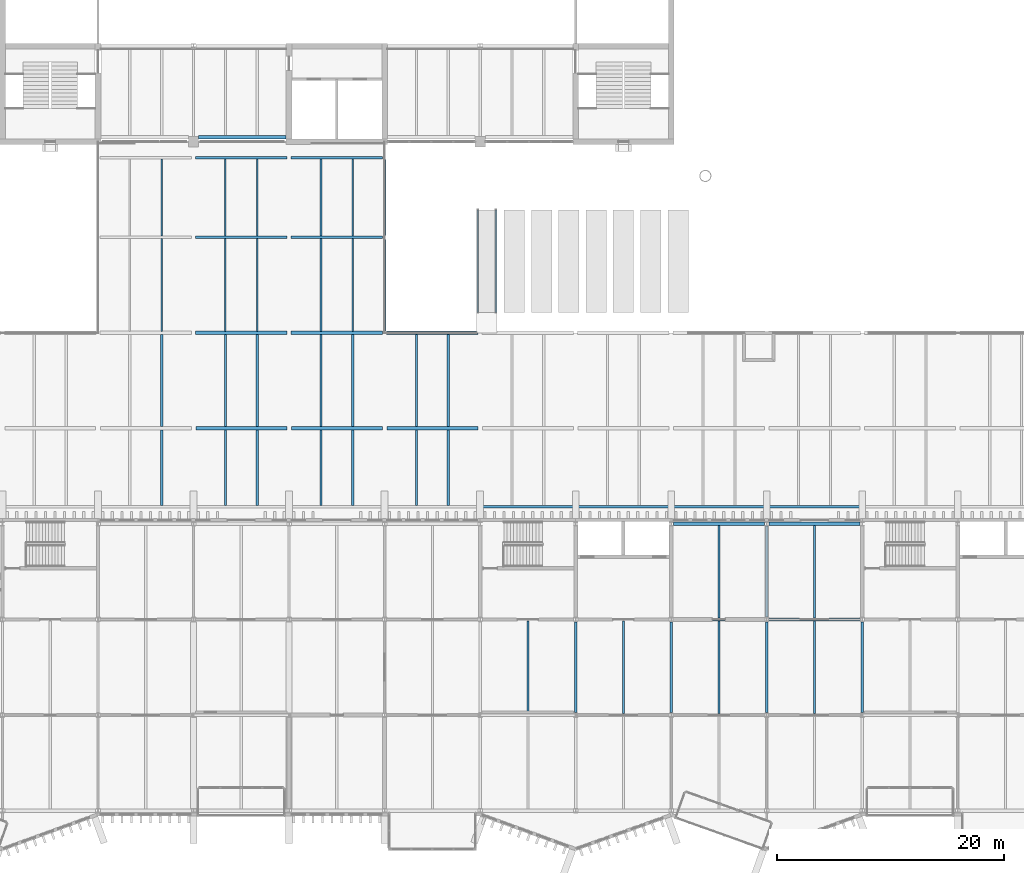
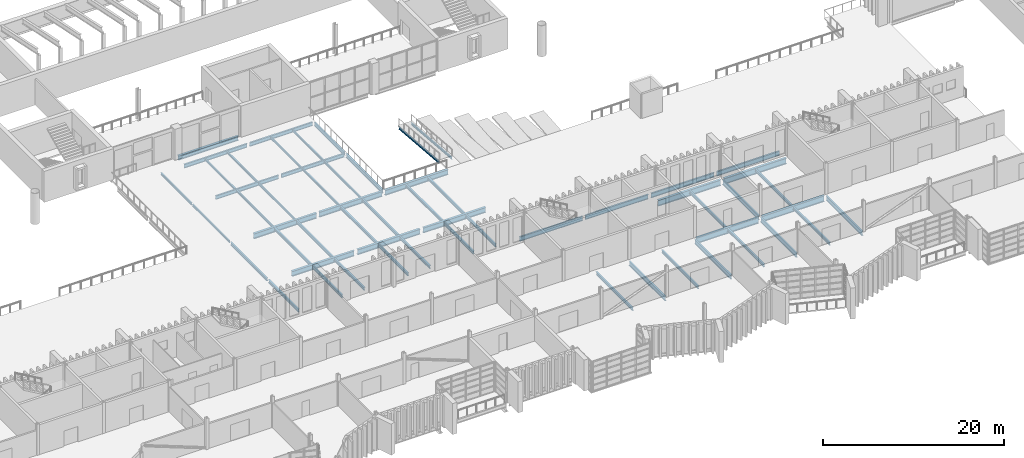
# One storey, part 29 of 96: 58 beams.
"""IFC4 building model written with IfcOpenShell, lengths in metres."""

from ifc_helpers import new_model, si_unit, direction, frame, origin, origin_2d, place, context, subcontext, project, spatial, i_section, extrude, material, material_profile, profile_set, type_object, element, save


model = new_model("IFC4")

# Units and contexts
model_context = context("Model", 3, precision=1e-05, world=origin(), true_north=direction((0.0, 1.0)))
body_context = subcontext(model_context, "Body", "Model", "MODEL_VIEW")
ifc_project = project(units=[si_unit("LENGTHUNIT", "METRE"), si_unit("AREAUNIT", "SQUARE_METRE"), si_unit("VOLUMEUNIT", "CUBIC_METRE"), si_unit("PLANEANGLEUNIT", "RADIAN"), si_unit("MASSUNIT", "GRAM", prefix="KILO")], contexts=[model_context])

# Site, building, storey
site_placement = place(None, origin())
site = spatial("IfcSite", under=ifc_project, at=site_placement, CompositionType="ELEMENT")
building_placement = place(site_placement, origin())
building = spatial("IfcBuilding", under=site, at=building_placement, Name="Cresset Court Congress Hotel", CompositionType="ELEMENT")
storey_placement = place(building_placement, frame((0.0, 0.0, 6.0)))
storey = spatial("IfcBuildingStorey", under=building, at=storey_placement, Name="L01", CompositionType="ELEMENT", Elevation=6.0)

# Beams
ifc_material_1 = material(Name="Structural steel Q355B", Category="steel")
ifc_material_profile_1 = material_profile(ifc_material_1, i_section(OverallWidth=0.300048828125, OverallDepth=0.587890625, WebThickness=0.011962890625, FlangeThickness=0.02001953125, FilletRadius=0.028076171875, at=origin_2d()), Name="HM588x300x12x20")
ifc_profile_set_1 = profile_set([ifc_material_profile_1], Name="Structural steel Q355B")
beam_type_1 = type_object("IfcBeamType", Name="Steel HM588x300x12x20 girder", PredefinedType="BEAM", material=ifc_profile_set_1)
beam_1_placement = place(storey_placement, frame((76.050048828125, 59.199951171875, -0.444091796875), z_axis=(1.0, 0.0, 0.0), x_axis=(0.0, 1.0, 0.0)))
element("IfcBeam", 1, at=beam_1_placement, inside=storey, type_object=beam_type_1, Name="Girder CG-F016", PredefinedType="BEAM", context=body_context, shape_type="SweptSolid", body=[
    extrude(i_section(OverallWidth=0.300048828125, OverallDepth=0.587890625, WebThickness=0.011962890625, FlangeThickness=0.02001953125, FilletRadius=0.028076171875, at=origin_2d()), origin(), (0.0, 0.0, 1.0), 7.699951171875),
])
ifc_material_2 = material(Name="Structural steel Q355B", Category="steel")
ifc_material_profile_2 = material_profile(ifc_material_2, i_section(OverallWidth=0.14990234375, OverallDepth=0.300048828125, WebThickness=0.006591796875, FlangeThickness=0.009033203125, FilletRadius=0.012939453125, at=origin_2d()), Name="HN300x150x6.5x9")
ifc_profile_set_2 = profile_set([ifc_material_profile_2], Name="Structural steel Q355B")
beam_type_2 = type_object("IfcBeamType", Name="Steel beam HN300x150x6.5x9", PredefinedType="BEAM", material=ifc_profile_set_2)
for number, where, z_axis, x_axis, name in (
    (2, (72.800048828125, 42.10009765625, -0.300048828125), (0.0, 1.0, 0.0), (-1.0, 0.0, 0.0), "S.dbm.L01.S072"),
    (3, (78.39990234375, 42.10009765625, -0.300048828125), (0.0, 1.0, 0.0), (-1.0, 0.0, 0.0), "S.dbm.L01.S073"),
    (4, (81.199951171875, 42.10009765625, -0.300048828125), (0.0, 1.0, 0.0), (-1.0, 0.0, 0.0), "S.dbm.L01.S074"),
    (5, (86.800048828125, 42.10009765625, -0.300048828125), (0.0, 1.0, 0.0), (-1.0, 0.0, 0.0), "S.dbm.L01.S075"),
    (6, (89.60009765625, 42.10009765625, -0.300048828125), (0.0, 1.0, 0.0), (-1.0, 0.0, 0.0), "S.dbm.L01.S076"),
):
    element("IfcBeam", number, at=place(storey_placement, frame(where, z_axis=z_axis, x_axis=x_axis)), inside=storey, type_object=beam_type_2, Name=name, PredefinedType="BEAM", context=body_context, shape_type="SweptSolid", body=[
        extrude(i_section(OverallWidth=0.14990234375, OverallDepth=0.300048828125, WebThickness=0.006591796875, FlangeThickness=0.009033203125, FilletRadius=0.012939453125, at=origin_2d()), origin(), (0.0, 0.0, 1.0), 8.199951171875),
    ])
for number, where, z_axis, x_axis, name in (
    (7, (72.800048828125, 50.5, -0.300048828125), (0.0, 1.0, 0.0), (-1.0, 0.0, 0.0), "S.dbm.L01.S078"),
    (8, (78.39990234375, 50.5, -0.300048828125), (0.0, 1.0, 0.0), (-1.0, 0.0, 0.0), "S.dbm.L01.S079"),
    (9, (81.199951171875, 50.5, -0.300048828125), (0.0, 1.0, 0.0), (-1.0, 0.0, 0.0), "S.dbm.L01.S080"),
    (10, (86.800048828125, 50.5, -0.300048828125), (0.0, 1.0, 0.0), (-1.0, 0.0, 0.0), "S.dbm.L01.S081"),
    (11, (89.60009765625, 50.5, -0.300048828125), (0.0, 1.0, 0.0), (-1.0, 0.0, 0.0), "S.dbm.L01.S082"),
):
    element("IfcBeam", number, at=place(storey_placement, frame(where, z_axis=z_axis, x_axis=x_axis)), inside=storey, type_object=beam_type_2, Name=name, PredefinedType="BEAM", context=body_context, shape_type="SweptSolid", body=[
        extrude(i_section(OverallWidth=0.14990234375, OverallDepth=0.300048828125, WebThickness=0.006591796875, FlangeThickness=0.009033203125, FilletRadius=0.012939453125, at=origin_2d()), origin(), (0.0, 0.0, 1.0), 6.800048828125),
    ])
for number, where, z_axis, x_axis, name in (
    (12, (100.60009765625, 43.800048828125, -0.35009765625), (0.0, 0.996545758245, -0.083045479854), (-1.0, 0.0, 0.0), "S.ramp.L01.D01.B1L"),
    (13, (102.199951171875, 43.800048828125, -0.35009765625), (0.0, 0.996545758245, -0.083045479854), (-1.0, 0.0, 0.0), "S.ramp.L01.D01.B1R"),
):
    element("IfcBeam", number, at=place(storey_placement, frame(where, z_axis=z_axis, x_axis=x_axis)), inside=storey, type_object=beam_type_2, Name=name, PredefinedType="BEAM", context=body_context, shape_type="SweptSolid", body=[
        extrude(i_section(OverallWidth=0.14990234375, OverallDepth=0.300048828125, WebThickness=0.006591796875, FlangeThickness=0.009033203125, FilletRadius=0.012939453125, at=origin_2d()), origin(), (0.0, 0.0, 1.0), 9.03125),
    ])
ifc_material_3 = material(Name="Structural steel Q355B", Category="steel")
ifc_material_profile_3 = material_profile(ifc_material_3, i_section(OverallWidth=0.199951171875, OverallDepth=0.39990234375, WebThickness=0.008056640625, FlangeThickness=0.012939453125, FilletRadius=0.01611328125, at=origin_2d()), Name="HN400x200x8x13")
ifc_profile_set_3 = profile_set([ifc_material_profile_3], Name="Structural steel Q355B")
beam_type_3 = type_object("IfcBeamType", Name="Steel beam HN400x200x8x13", PredefinedType="BEAM", material=ifc_profile_set_3)
beam_2_placement = place(storey_placement, frame((72.800048828125, 26.800048828125, -0.35009765625), z_axis=(0.0, 1.0, 0.0), x_axis=(-1.0, 0.0, 0.0)))
element("IfcBeam", 14, at=beam_2_placement, inside=storey, type_object=beam_type_3, Name="S.dbm.L01.S031", PredefinedType="BEAM", context=body_context, shape_type="SweptSolid", body=[
    extrude(i_section(OverallWidth=0.199951171875, OverallDepth=0.39990234375, WebThickness=0.008056640625, FlangeThickness=0.012939453125, FilletRadius=0.01611328125, at=origin_2d()), origin(), (0.0, 0.0, 1.0), 6.64990234375),
])
beam_3_placement = place(storey_placement, frame((72.800048828125, 33.75, -0.35009765625), z_axis=(0.0, 1.0, 0.0), x_axis=(-1.0, 0.0, 0.0)))
element("IfcBeam", 15, at=beam_3_placement, inside=storey, type_object=beam_type_3, Name="S.dbm.L01.S032", PredefinedType="BEAM", context=body_context, shape_type="SweptSolid", body=[
    extrude(i_section(OverallWidth=0.199951171875, OverallDepth=0.39990234375, WebThickness=0.008056640625, FlangeThickness=0.012939453125, FilletRadius=0.01611328125, at=origin_2d()), origin(), (0.0, 0.0, 1.0), 8.10009765625),
])
beam_4_placement = place(storey_placement, frame((78.39990234375, 26.800048828125, -0.35009765625), z_axis=(0.0, 1.0, 0.0), x_axis=(-1.0, 0.0, 0.0)))
element("IfcBeam", 16, at=beam_4_placement, inside=storey, type_object=beam_type_3, Name="S.dbm.L01.S033", PredefinedType="BEAM", context=body_context, shape_type="SweptSolid", body=[
    extrude(i_section(OverallWidth=0.199951171875, OverallDepth=0.39990234375, WebThickness=0.008056640625, FlangeThickness=0.012939453125, FilletRadius=0.01611328125, at=origin_2d()), origin(), (0.0, 0.0, 1.0), 6.64990234375),
])
beam_5_placement = place(storey_placement, frame((78.39990234375, 33.75, -0.35009765625), z_axis=(0.0, 1.0, 0.0), x_axis=(-1.0, 0.0, 0.0)))
element("IfcBeam", 17, at=beam_5_placement, inside=storey, type_object=beam_type_3, Name="S.dbm.L01.S034", PredefinedType="BEAM", context=body_context, shape_type="SweptSolid", body=[
    extrude(i_section(OverallWidth=0.199951171875, OverallDepth=0.39990234375, WebThickness=0.008056640625, FlangeThickness=0.012939453125, FilletRadius=0.01611328125, at=origin_2d()), origin(), (0.0, 0.0, 1.0), 8.10009765625),
])
beam_6_placement = place(storey_placement, frame((81.199951171875, 26.800048828125, -0.35009765625), z_axis=(0.0, 1.0, 0.0), x_axis=(-1.0, 0.0, 0.0)))
element("IfcBeam", 18, at=beam_6_placement, inside=storey, type_object=beam_type_3, Name="S.dbm.L01.S035", PredefinedType="BEAM", context=body_context, shape_type="SweptSolid", body=[
    extrude(i_section(OverallWidth=0.199951171875, OverallDepth=0.39990234375, WebThickness=0.008056640625, FlangeThickness=0.012939453125, FilletRadius=0.01611328125, at=origin_2d()), origin(), (0.0, 0.0, 1.0), 6.64990234375),
])
beam_7_placement = place(storey_placement, frame((81.199951171875, 33.75, -0.35009765625), z_axis=(0.0, 1.0, 0.0), x_axis=(-1.0, 0.0, 0.0)))
element("IfcBeam", 19, at=beam_7_placement, inside=storey, type_object=beam_type_3, Name="S.dbm.L01.S036", PredefinedType="BEAM", context=body_context, shape_type="SweptSolid", body=[
    extrude(i_section(OverallWidth=0.199951171875, OverallDepth=0.39990234375, WebThickness=0.008056640625, FlangeThickness=0.012939453125, FilletRadius=0.01611328125, at=origin_2d()), origin(), (0.0, 0.0, 1.0), 8.10009765625),
])
beam_8_placement = place(storey_placement, frame((86.800048828125, 26.800048828125, -0.35009765625), z_axis=(0.0, 1.0, 0.0), x_axis=(-1.0, 0.0, 0.0)))
element("IfcBeam", 20, at=beam_8_placement, inside=storey, type_object=beam_type_3, Name="S.dbm.L01.S037", PredefinedType="BEAM", context=body_context, shape_type="SweptSolid", body=[
    extrude(i_section(OverallWidth=0.199951171875, OverallDepth=0.39990234375, WebThickness=0.008056640625, FlangeThickness=0.012939453125, FilletRadius=0.01611328125, at=origin_2d()), origin(), (0.0, 0.0, 1.0), 6.64990234375),
])
beam_9_placement = place(storey_placement, frame((86.800048828125, 33.75, -0.35009765625), z_axis=(0.0, 1.0, 0.0), x_axis=(-1.0, 0.0, 0.0)))
element("IfcBeam", 21, at=beam_9_placement, inside=storey, type_object=beam_type_3, Name="S.dbm.L01.S038", PredefinedType="BEAM", context=body_context, shape_type="SweptSolid", body=[
    extrude(i_section(OverallWidth=0.199951171875, OverallDepth=0.39990234375, WebThickness=0.008056640625, FlangeThickness=0.012939453125, FilletRadius=0.01611328125, at=origin_2d()), origin(), (0.0, 0.0, 1.0), 8.10009765625),
])
beam_10_placement = place(storey_placement, frame((89.60009765625, 26.800048828125, -0.35009765625), z_axis=(0.0, 1.0, 0.0), x_axis=(-1.0, 0.0, 0.0)))
element("IfcBeam", 22, at=beam_10_placement, inside=storey, type_object=beam_type_3, Name="S.dbm.L01.S039", PredefinedType="BEAM", context=body_context, shape_type="SweptSolid", body=[
    extrude(i_section(OverallWidth=0.199951171875, OverallDepth=0.39990234375, WebThickness=0.008056640625, FlangeThickness=0.012939453125, FilletRadius=0.01611328125, at=origin_2d()), origin(), (0.0, 0.0, 1.0), 6.64990234375),
])
beam_11_placement = place(storey_placement, frame((89.60009765625, 33.75, -0.35009765625), z_axis=(0.0, 1.0, 0.0), x_axis=(-1.0, 0.0, 0.0)))
element("IfcBeam", 23, at=beam_11_placement, inside=storey, type_object=beam_type_3, Name="S.dbm.L01.S040", PredefinedType="BEAM", context=body_context, shape_type="SweptSolid", body=[
    extrude(i_section(OverallWidth=0.199951171875, OverallDepth=0.39990234375, WebThickness=0.008056640625, FlangeThickness=0.012939453125, FilletRadius=0.01611328125, at=origin_2d()), origin(), (0.0, 0.0, 1.0), 8.10009765625),
])
beam_12_placement = place(storey_placement, frame((95.199951171875, 26.800048828125, -0.35009765625), z_axis=(0.0, 1.0, 0.0), x_axis=(-1.0, 0.0, 0.0)))
element("IfcBeam", 24, at=beam_12_placement, inside=storey, type_object=beam_type_3, Name="S.dbm.L01.S041", PredefinedType="BEAM", context=body_context, shape_type="SweptSolid", body=[
    extrude(i_section(OverallWidth=0.199951171875, OverallDepth=0.39990234375, WebThickness=0.008056640625, FlangeThickness=0.012939453125, FilletRadius=0.01611328125, at=origin_2d()), origin(), (0.0, 0.0, 1.0), 6.64990234375),
])
beam_13_placement = place(storey_placement, frame((95.199951171875, 33.75, -0.35009765625), z_axis=(0.0, 1.0, 0.0), x_axis=(-1.0, 0.0, 0.0)))
element("IfcBeam", 25, at=beam_13_placement, inside=storey, type_object=beam_type_3, Name="S.dbm.L01.S042", PredefinedType="BEAM", context=body_context, shape_type="SweptSolid", body=[
    extrude(i_section(OverallWidth=0.199951171875, OverallDepth=0.39990234375, WebThickness=0.008056640625, FlangeThickness=0.012939453125, FilletRadius=0.01611328125, at=origin_2d()), origin(), (0.0, 0.0, 1.0), 8.10009765625),
])
beam_14_placement = place(storey_placement, frame((98.0, 26.800048828125, -0.35009765625), z_axis=(0.0, 1.0, 0.0), x_axis=(-1.0, 0.0, 0.0)))
element("IfcBeam", 26, at=beam_14_placement, inside=storey, type_object=beam_type_3, Name="S.dbm.L01.S043", PredefinedType="BEAM", context=body_context, shape_type="SweptSolid", body=[
    extrude(i_section(OverallWidth=0.199951171875, OverallDepth=0.39990234375, WebThickness=0.008056640625, FlangeThickness=0.012939453125, FilletRadius=0.01611328125, at=origin_2d()), origin(), (0.0, 0.0, 1.0), 6.64990234375),
])
beam_15_placement = place(storey_placement, frame((98.0, 33.75, -0.35009765625), z_axis=(0.0, 1.0, 0.0), x_axis=(-1.0, 0.0, 0.0)))
element("IfcBeam", 27, at=beam_15_placement, inside=storey, type_object=beam_type_3, Name="S.dbm.L01.S044", PredefinedType="BEAM", context=body_context, shape_type="SweptSolid", body=[
    extrude(i_section(OverallWidth=0.199951171875, OverallDepth=0.39990234375, WebThickness=0.008056640625, FlangeThickness=0.012939453125, FilletRadius=0.01611328125, at=origin_2d()), origin(), (0.0, 0.0, 1.0), 8.10009765625),
])
ifc_material_4 = material(Name="Structural steel Q355B", Category="steel")
ifc_material_profile_4 = material_profile(ifc_material_4, i_section(OverallWidth=0.199951171875, OverallDepth=0.5, WebThickness=0.010009765625, FlangeThickness=0.01611328125, FilletRadius=0.012939453125, at=origin_2d()), Name="HN500x200x10x16")
ifc_profile_set_4 = profile_set([ifc_material_profile_4], Name="Structural steel Q355B")
beam_type_4 = type_object("IfcBeamType", Name="Steel beam HN500x200x10x16", PredefinedType="BEAM", material=ifc_profile_set_4)
for number, where, z_axis, x_axis, name in (
    (28, (75.77490234375, 50.39990234375, -0.39990234375), (1.0, 0.0, 0.0), (0.0, 1.0, 0.0), "S.dbm.L01.P061"),
    (29, (84.175048828125, 50.39990234375, -0.39990234375), (1.0, 0.0, 0.0), (0.0, 1.0, 0.0), "S.dbm.L01.P062"),
    (30, (75.77490234375, 57.39990234375, -0.39990234375), (1.0, 0.0, 0.0), (0.0, 1.0, 0.0), "S.dbm.L01.P064"),
    (31, (84.175048828125, 57.39990234375, -0.39990234375), (1.0, 0.0, 0.0), (0.0, 1.0, 0.0), "S.dbm.L01.P065"),
):
    element("IfcBeam", number, at=place(storey_placement, frame(where, z_axis=z_axis, x_axis=x_axis)), inside=storey, type_object=beam_type_4, Name=name, PredefinedType="BEAM", context=body_context, shape_type="SweptSolid", body=[
        extrude(i_section(OverallWidth=0.199951171875, OverallDepth=0.5, WebThickness=0.010009765625, FlangeThickness=0.01611328125, FilletRadius=0.012939453125, at=origin_2d()), origin(), (0.0, 0.0, 1.0), 8.050048828125),
    ])
beam_16_placement = place(storey_placement, frame((92.39990234375, 42.14990234375, -0.39990234375), z_axis=(0.0, 1.0, 0.0), x_axis=(-1.0, 0.0, 0.0)))
element("IfcBeam", 32, at=beam_16_placement, inside=storey, type_object=beam_type_4, Name="S.dbm.L01.P068", PredefinedType="BEAM", context=body_context, shape_type="SweptSolid", body=[
    extrude(i_section(OverallWidth=0.199951171875, OverallDepth=0.5, WebThickness=0.010009765625, FlangeThickness=0.01611328125, FilletRadius=0.012939453125, at=origin_2d()), origin(), (0.0, 0.0, 1.0), 8.0751953125),
])
beam_17_placement = place(storey_placement, frame((92.39990234375, 50.574951171875, -0.39990234375), z_axis=(0.0, 1.0, 0.0), x_axis=(-1.0, 0.0, 0.0)))
element("IfcBeam", 33, at=beam_17_placement, inside=storey, type_object=beam_type_4, Name="S.dbm.L01.P069", PredefinedType="BEAM", context=body_context, shape_type="SweptSolid", body=[
    extrude(i_section(OverallWidth=0.199951171875, OverallDepth=0.5, WebThickness=0.010009765625, FlangeThickness=0.01611328125, FilletRadius=0.012939453125, at=origin_2d()), origin(), (0.0, 0.0, 1.0), 6.650146484375),
])
ifc_material_5 = material(Name="Structural steel Q355B", Category="steel")
ifc_material_profile_5 = material_profile(ifc_material_5, i_section(OverallWidth=0.199951171875, OverallDepth=0.60009765625, WebThickness=0.010986328125, FlangeThickness=0.01708984375, FilletRadius=0.012939453125, at=origin_2d()), Name="HN600x200x11x17")
ifc_profile_set_5 = profile_set([ifc_material_profile_5], Name="Structural steel Q355B")
beam_type_5 = type_object("IfcBeamType", Name="Steel beam HN600x200x11x17", PredefinedType="BEAM", material=ifc_profile_set_5)
beam_18_placement = place(storey_placement, frame((100.97509765625, 26.699951171875, -0.449951171875), z_axis=(1.0, 0.0, 0.0), x_axis=(0.0, 1.0, 0.0)))
element("IfcBeam", 34, at=beam_18_placement, inside=storey, type_object=beam_type_5, Name="S.dbm.L01.P012", PredefinedType="BEAM", context=body_context, shape_type="SweptSolid", body=[
    extrude(i_section(OverallWidth=0.199951171875, OverallDepth=0.60009765625, WebThickness=0.010986328125, FlangeThickness=0.01708984375, FilletRadius=0.012939453125, at=origin_2d()), origin(), (0.0, 0.0, 1.0), 8.0498046875),
])
for number, where, z_axis, x_axis, name in (
    (35, (109.375, 26.699951171875, -0.449951171875), (1.0, 0.0, 0.0), (0.0, 1.0, 0.0), "S.dbm.L01.P013"),
    (36, (117.77490234375, 26.699951171875, -0.449951171875), (1.0, 0.0, 0.0), (0.0, 1.0, 0.0), "S.dbm.L01.P014"),
    (37, (126.175048828125, 26.699951171875, -0.449951171875), (1.0, 0.0, 0.0), (0.0, 1.0, 0.0), "S.dbm.L01.P015"),
):
    element("IfcBeam", number, at=place(storey_placement, frame(where, z_axis=z_axis, x_axis=x_axis)), inside=storey, type_object=beam_type_5, Name=name, PredefinedType="BEAM", context=body_context, shape_type="SweptSolid", body=[
        extrude(i_section(OverallWidth=0.199951171875, OverallDepth=0.60009765625, WebThickness=0.010986328125, FlangeThickness=0.01708984375, FilletRadius=0.012939453125, at=origin_2d()), origin(), (0.0, 0.0, 1.0), 8.050048828125),
    ])
for number, where, z_axis, x_axis, name in (
    (38, (109.199951171875, 8.60009765625, -0.449951171875), (0.0, 1.0, 0.0), (-1.0, 0.0, 0.0), "B.by.L01.14B"),
    (39, (117.60009765625, 8.60009765625, -0.449951171875), (0.0, 1.0, 0.0), (-1.0, 0.0, 0.0), "B.by.L01.15B"),
    (40, (126.0, 8.60009765625, -0.449951171875), (0.0, 1.0, 0.0), (-1.0, 0.0, 0.0), "B.by.L01.16B"),
    (41, (126.0, 17.0, -0.449951171875), (0.0, 1.0, 0.0), (-1.0, 0.0, 0.0), "B.by.L01.16C"),
    (42, (134.39990234375, 8.60009765625, -0.449951171875), (0.0, 1.0, 0.0), (-1.0, 0.0, 0.0), "B.by.L01.17B"),
):
    element("IfcBeam", number, at=place(storey_placement, frame(where, z_axis=z_axis, x_axis=x_axis)), inside=storey, type_object=beam_type_5, Name=name, PredefinedType="BEAM", context=body_context, shape_type="SweptSolid", body=[
        extrude(i_section(OverallWidth=0.199951171875, OverallDepth=0.60009765625, WebThickness=0.010986328125, FlangeThickness=0.01708984375, FilletRadius=0.012939453125, at=origin_2d()), origin(), (0.0, 0.0, 1.0), 8.0),
    ])
ifc_material_6 = material(Name="Structural steel Q355B", Category="steel")
ifc_material_profile_6 = material_profile(ifc_material_6, i_section(OverallWidth=0.300048828125, OverallDepth=0.699951171875, WebThickness=0.012939453125, FlangeThickness=0.02392578125, FilletRadius=0.01806640625, at=origin_2d()), Name="HN700x300x13x24")
ifc_profile_set_6 = profile_set([ifc_material_profile_6], Name="Structural steel Q355B")
beam_type_6 = type_object("IfcBeamType", Name="Steel beam HN700x300x13x24", PredefinedType="BEAM", material=ifc_profile_set_6)
for number, where, z_axis, x_axis, name in (
    (43, (75.800048828125, 33.60009765625, -0.5), (1.0, 0.0, 0.0), (0.0, 1.0, 0.0), "S.dbm.L01.P027"),
    (44, (84.199951171875, 33.60009765625, -0.5), (1.0, 0.0, 0.0), (0.0, 1.0, 0.0), "S.dbm.L01.P028"),
    (45, (92.60009765625, 33.60009765625, -0.5), (1.0, 0.0, 0.0), (0.0, 1.0, 0.0), "S.dbm.L01.P029"),
):
    element("IfcBeam", number, at=place(storey_placement, frame(where, z_axis=z_axis, x_axis=x_axis)), inside=storey, type_object=beam_type_6, Name=name, PredefinedType="BEAM", context=body_context, shape_type="SweptSolid", body=[
        extrude(i_section(OverallWidth=0.300048828125, OverallDepth=0.699951171875, WebThickness=0.012939453125, FlangeThickness=0.02392578125, FilletRadius=0.01806640625, at=origin_2d()), origin(), (0.0, 0.0, 1.0), 8.0),
    ])
for number, where, z_axis, x_axis, name in (
    (46, (75.77490234375, 42.0, -0.5), (1.0, 0.0, 0.0), (0.0, 1.0, 0.0), "S.dbm.L01.P045"),
    (47, (84.175048828125, 42.0, -0.5), (1.0, 0.0, 0.0), (0.0, 1.0, 0.0), "S.dbm.L01.P046"),
    (48, (92.574951171875, 42.0, -0.5), (1.0, 0.0, 0.0), (0.0, 1.0, 0.0), "S.dbm.L01.P047"),
):
    element("IfcBeam", number, at=place(storey_placement, frame(where, z_axis=z_axis, x_axis=x_axis)), inside=storey, type_object=beam_type_6, Name=name, PredefinedType="BEAM", context=body_context, shape_type="SweptSolid", body=[
        extrude(i_section(OverallWidth=0.300048828125, OverallDepth=0.699951171875, WebThickness=0.012939453125, FlangeThickness=0.02392578125, FilletRadius=0.01806640625, at=origin_2d()), origin(), (0.0, 0.0, 1.0), 8.050048828125),
    ])
ifc_material_7 = material(Name="Structural steel Q355B", Category="steel")
ifc_material_profile_7 = material_profile(ifc_material_7, i_section(OverallWidth=0.300048828125, OverallDepth=0.800048828125, WebThickness=0.013916015625, FlangeThickness=0.02587890625, FilletRadius=0.01806640625, at=origin_2d()), Name="HN800x300x14x26")
ifc_profile_set_7 = profile_set([ifc_material_profile_7], Name="Structural steel Q355B")
beam_type_7 = type_object("IfcBeamType", Name="Steel beam HN800x300x14x26", PredefinedType="BEAM", material=ifc_profile_set_7)
for number, where, z_axis, x_axis, name in (
    (49, (117.800048828125, 16.800048828125, -0.550048828125), (1.0, 0.0, 0.0), (0.0, 1.0, 0.0), "B.bx.L01.C15"),
    (50, (126.199951171875, 16.800048828125, -0.550048828125), (1.0, 0.0, 0.0), (0.0, 1.0, 0.0), "B.bx.L01.C16"),
    (51, (117.800048828125, 25.199951171875, -0.550048828125), (1.0, 0.0, 0.0), (0.0, 1.0, 0.0), "B.bx.L01.D15"),
    (52, (126.199951171875, 25.199951171875, -0.550048828125), (1.0, 0.0, 0.0), (0.0, 1.0, 0.0), "B.bx.L01.D16"),
):
    element("IfcBeam", number, at=place(storey_placement, frame(where, z_axis=z_axis, x_axis=x_axis)), inside=storey, type_object=beam_type_7, Name=name, PredefinedType="BEAM", context=body_context, shape_type="SweptSolid", body=[
        extrude(i_section(OverallWidth=0.300048828125, OverallDepth=0.800048828125, WebThickness=0.013916015625, FlangeThickness=0.02587890625, FilletRadius=0.01806640625, at=origin_2d()), origin(), (0.0, 0.0, 1.0), 8.0),
    ])
ifc_material_8 = material(Name="Structural steel Q355B", Category="steel")
ifc_material_profile_8 = material_profile(ifc_material_8, i_section(OverallWidth=0.199951171875, OverallDepth=0.39990234375, WebThickness=0.008056640625, FlangeThickness=0.012939453125, FilletRadius=0.01611328125, at=origin_2d()), Name="HN400x200x8x13")
ifc_profile_set_8 = profile_set([ifc_material_profile_8], Name="Structural steel Q355B")
beam_type_8 = type_object("IfcBeamType", Name="Steel joist HN400x200x8x13", PredefinedType="JOIST", material=ifc_profile_set_8)
for number, where, z_axis, x_axis, name in (
    (53, (105.0, 8.550048828125, -0.35009765625), (0.0, 1.0, 0.0), (-1.0, 0.0, 0.0), "B.bj.L01.13B"),
    (54, (113.39990234375, 8.550048828125, -0.35009765625), (0.0, 1.0, 0.0), (-1.0, 0.0, 0.0), "B.bj.L01.14B"),
    (55, (121.800048828125, 8.550048828125, -0.35009765625), (0.0, 1.0, 0.0), (-1.0, 0.0, 0.0), "B.bj.L01.15B"),
):
    element("IfcBeam", number, at=place(storey_placement, frame(where, z_axis=z_axis, x_axis=x_axis)), inside=storey, type_object=beam_type_8, Name=name, PredefinedType="JOIST", context=body_context, shape_type="SweptSolid", body=[
        extrude(i_section(OverallWidth=0.199951171875, OverallDepth=0.39990234375, WebThickness=0.008056640625, FlangeThickness=0.012939453125, FilletRadius=0.01611328125, at=origin_2d()), origin(), (0.0, 0.0, 1.0), 8.099853515625),
    ])
beam_19_placement = place(storey_placement, frame((121.800048828125, 16.949951171875, -0.35009765625), z_axis=(0.0, 1.0, 0.0), x_axis=(-1.0, 0.0, 0.0)))
element("IfcBeam", 56, at=beam_19_placement, inside=storey, type_object=beam_type_8, Name="B.bj.L01.15C", PredefinedType="JOIST", context=body_context, shape_type="SweptSolid", body=[
    extrude(i_section(OverallWidth=0.199951171875, OverallDepth=0.39990234375, WebThickness=0.008056640625, FlangeThickness=0.012939453125, FilletRadius=0.01611328125, at=origin_2d()), origin(), (0.0, 0.0, 1.0), 8.10009765625),
])
beam_20_placement = place(storey_placement, frame((130.199951171875, 8.550048828125, -0.35009765625), z_axis=(0.0, 1.0, 0.0), x_axis=(-1.0, 0.0, 0.0)))
element("IfcBeam", 57, at=beam_20_placement, inside=storey, type_object=beam_type_8, Name="B.bj.L01.16B", PredefinedType="JOIST", context=body_context, shape_type="SweptSolid", body=[
    extrude(i_section(OverallWidth=0.199951171875, OverallDepth=0.39990234375, WebThickness=0.008056640625, FlangeThickness=0.012939453125, FilletRadius=0.01611328125, at=origin_2d()), origin(), (0.0, 0.0, 1.0), 8.099853515625),
])
beam_21_placement = place(storey_placement, frame((130.199951171875, 16.949951171875, -0.35009765625), z_axis=(0.0, 1.0, 0.0), x_axis=(-1.0, 0.0, 0.0)))
element("IfcBeam", 58, at=beam_21_placement, inside=storey, type_object=beam_type_8, Name="B.bj.L01.16C", PredefinedType="JOIST", context=body_context, shape_type="SweptSolid", body=[
    extrude(i_section(OverallWidth=0.199951171875, OverallDepth=0.39990234375, WebThickness=0.008056640625, FlangeThickness=0.012939453125, FilletRadius=0.01611328125, at=origin_2d()), origin(), (0.0, 0.0, 1.0), 8.10009765625),
])

save(model, "model.ifc")
